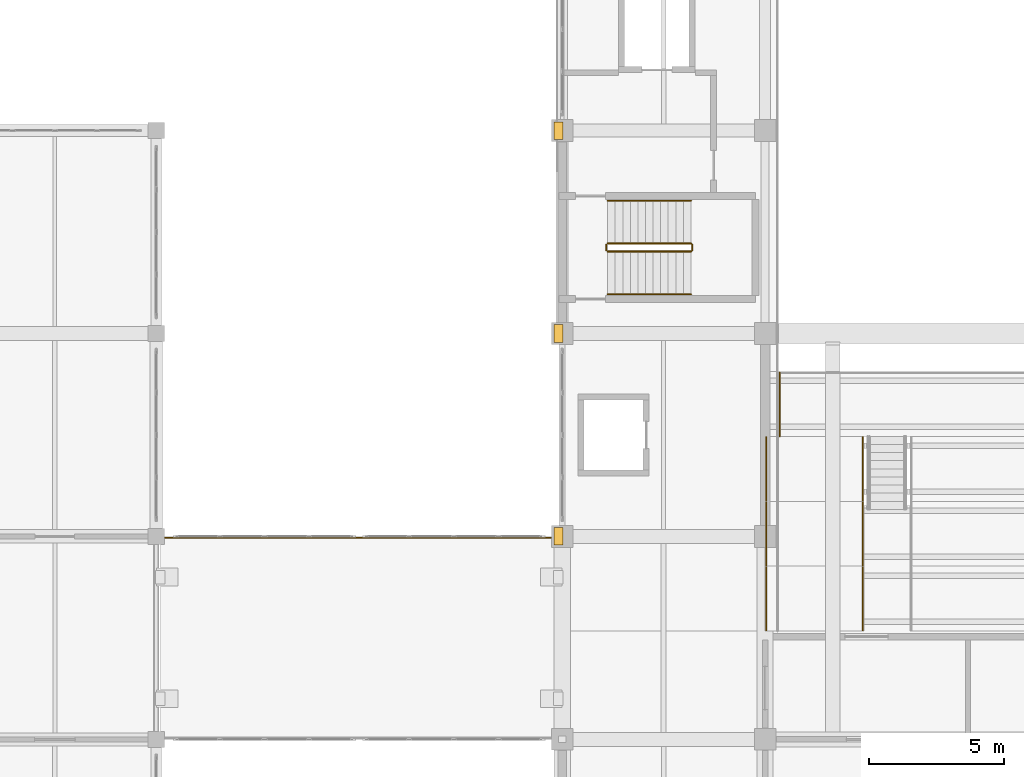
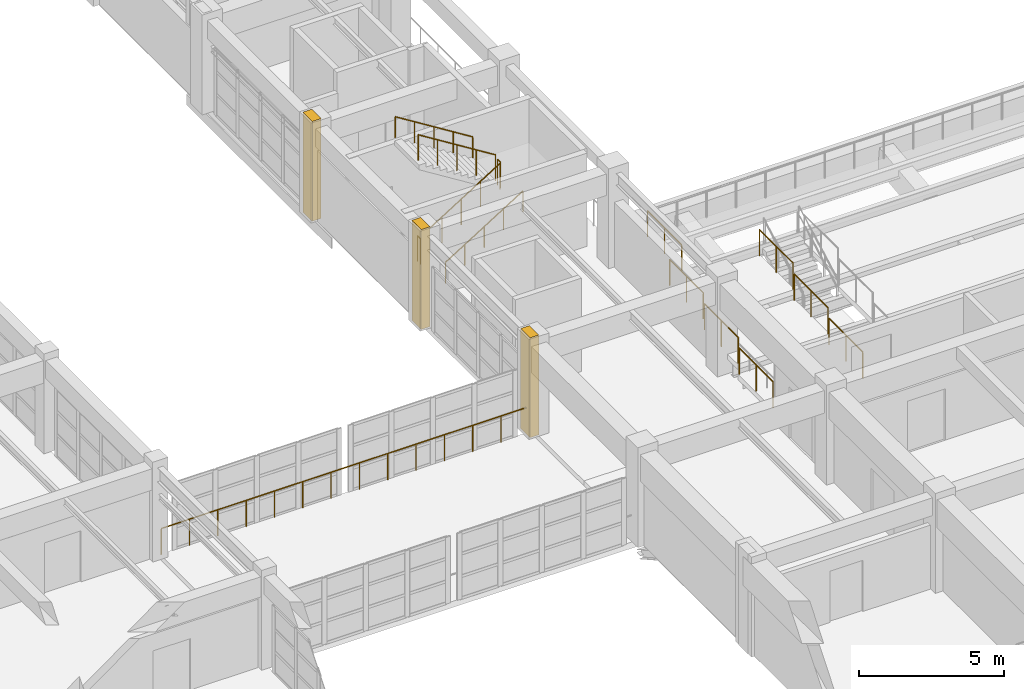
# One storey, part 112 of 124: 14 railings, 3 coverings.
"""IFC4 building model written with IfcOpenShell, lengths in metres."""

from ifc_helpers import new_model, si_unit, direction, frame, origin, origin_2d, place, context, subcontext, project, spatial, rectangle, circle, extrude, material, layer, layer_set, type_object, element, save


model = new_model("IFC4")

# Units and contexts
model_context = context("Model", 3, precision=1e-05, world=origin(), true_north=direction((0.0, 1.0)))
body_context = subcontext(model_context, "Body", "Model", "MODEL_VIEW")
ifc_project = project(units=[si_unit("LENGTHUNIT", "METRE"), si_unit("AREAUNIT", "SQUARE_METRE"), si_unit("VOLUMEUNIT", "CUBIC_METRE"), si_unit("PLANEANGLEUNIT", "RADIAN"), si_unit("MASSUNIT", "GRAM", prefix="KILO")], contexts=[model_context])

# Site, building, storey
site_placement = place(None, origin())
site = spatial("IfcSite", under=ifc_project, at=site_placement, CompositionType="ELEMENT")
building_placement = place(site_placement, origin())
building = spatial("IfcBuilding", under=site, at=building_placement, Name="Qasida Concert Hall", CompositionType="ELEMENT")
storey_placement = place(building_placement, frame((0.0, 0.0, 9.0)))
storey = spatial("IfcBuildingStorey", under=building, at=storey_placement, Name="L02", CompositionType="ELEMENT", Elevation=9.0)

# Coverings
ifc_material_1 = material(Name="Projecting fluted Lebanese limestone Art Deco pilaster", Category="masonry")
ifc_layer_1 = layer(ifc_material_1, 0.35009765625, Name="Projecting fluted Lebanese limestone Art Deco pilaster")
ifc_layer_set_1 = layer_set([ifc_layer_1], Name="Projecting fluted Lebanese limestone Art Deco pilaster")
covering_type = type_object("IfcCoveringType", Name="CV-PIL-650", PredefinedType="CLADDING", material=ifc_layer_set_1)
for number, where, z_axis, x_axis, name in (
    (1, (52.364990234375, 37.5, 0.0), (0.0, 0.0, 1.0), (1.0, 0.0, 0.0), "L02 fluted limestone pilaster 0017"),
    (2, (52.364990234375, 45.0, 0.0), (0.0, 0.0, 1.0), (1.0, 0.0, 0.0), "L02 fluted limestone pilaster 0031"),
    (3, (52.364990234375, 52.5, 0.0), (0.0, 0.0, 1.0), (1.0, 0.0, 0.0), "L02 fluted limestone pilaster 0045"),
):
    element("IfcCovering", number, at=place(storey_placement, frame(where, z_axis=z_axis, x_axis=x_axis)), inside=storey, type_object=covering_type, Name=name, PredefinedType="CLADDING", context=body_context, shape_type="SweptSolid", body=[
        extrude(rectangle(XDim=0.35009765625, YDim=0.64990234375, at=origin_2d()), origin(), (0.0, 0.0, 1.0), 4.199951171875),
    ])

# Railings
ifc_material_2 = material(Name="Carved Lebanese limestone and bronze top rail", Category="masonry")
ifc_layer_2 = layer(ifc_material_2, 0.10009765625, Name="Carved Lebanese limestone and bronze top rail")
ifc_layer_set_2 = layer_set([ifc_layer_2], Name="Carved Lebanese limestone and bronze top rail")
railing_type_1 = type_object("IfcRailingType", Name="RL-BAL-1100", PredefinedType="BALUSTRADE", material=ifc_layer_set_2)
railing_1_placement = place(storey_placement, frame((60.5400390625, 41.199951171875, 1.64990234375)))
element("IfcRailing", 4, at=railing_1_placement, inside=storey, type_object=railing_type_1, Name="L02 Symphony first balcony front rail 0061", PredefinedType="BALUSTRADE", context=body_context, shape_type="SweptSolid", body=[
    extrude(circle(Radius=0.02392578125, at=origin_2d()), frame((0.0, 0.0, 1.09619140625), z_axis=(0.0, 1.0, 0.0), x_axis=(-1.0, 0.0, 0.0)), (0.0, 0.0, 1.0), 2.360107421875),
    extrude(circle(Radius=0.02099609375, at=origin_2d()), origin(), (0.0, 0.0, 1.0), 1.072021484375),
    extrude(circle(Radius=0.02099609375, at=origin_2d()), frame((0.0, 1.18017578125, 0.0)), (0.0, 0.0, 1.0), 1.072021484375),
    extrude(circle(Radius=0.02099609375, at=origin_2d()), frame((0.0, 2.360107421875, 0.0)), (0.0, 0.0, 1.0), 1.072021484375),
])
ifc_material_3 = material(Name="Patinated architectural bronze and laminated glass infill", Category="glass")
ifc_layer_3 = layer(ifc_material_3, 0.080078125, Name="Patinated architectural bronze and laminated glass infill")
ifc_layer_set_3 = layer_set([ifc_layer_3], Name="Patinated architectural bronze and laminated glass infill")
railing_type_2 = type_object("IfcRailingType", Name="RL-GRD-1100", PredefinedType="GUARDRAIL", material=ifc_layer_set_3)
railing_2_placement = place(storey_placement, frame((37.679931640625, 37.449951171875, 0.0)))
element("IfcRailing", 5, at=railing_2_placement, inside=storey, type_object=railing_type_2, Name="L02 Link bridge north guard 0027", PredefinedType="GUARDRAIL", context=body_context, shape_type="SweptSolid", body=[
    extrude(circle(Radius=0.02392578125, at=origin_2d()), frame((0.0, 0.0, 1.09619140625), z_axis=(1.0, 0.0, 0.0), x_axis=(0.0, 1.0, 0.0)), (0.0, 0.0, 1.0), 14.64013671875),
    extrude(circle(Radius=0.02099609375, at=origin_2d()), origin(), (0.0, 0.0, 1.0), 1.072021484375),
    extrude(circle(Radius=0.02099609375, at=origin_2d()), frame((1.126220703125, 0.0, 0.0)), (0.0, 0.0, 1.0), 1.072021484375),
    extrude(circle(Radius=0.02099609375, at=origin_2d()), frame((2.25244140625, 0.0, 0.0)), (0.0, 0.0, 1.0), 1.072021484375),
    extrude(circle(Radius=0.02099609375, at=origin_2d()), frame((3.37841796875, 0.0, 0.0)), (0.0, 0.0, 1.0), 1.072021484375),
    extrude(circle(Radius=0.02099609375, at=origin_2d()), frame((4.504638671875, 0.0, 0.0)), (0.0, 0.0, 1.0), 1.072021484375),
    extrude(circle(Radius=0.02099609375, at=origin_2d()), frame((5.630859375, 0.0, 0.0)), (0.0, 0.0, 1.0), 1.072021484375),
    extrude(circle(Radius=0.02099609375, at=origin_2d()), frame((6.757080078125, 0.0, 0.0)), (0.0, 0.0, 1.0), 1.072021484375),
    extrude(circle(Radius=0.02099609375, at=origin_2d()), frame((7.883056640625, 0.0, 0.0)), (0.0, 0.0, 1.0), 1.072021484375),
    extrude(circle(Radius=0.02099609375, at=origin_2d()), frame((9.00927734375, 0.0, 0.0)), (0.0, 0.0, 1.0), 1.072021484375),
    extrude(circle(Radius=0.02099609375, at=origin_2d()), frame((10.135498046875, 0.0, 0.0)), (0.0, 0.0, 1.0), 1.072021484375),
    extrude(circle(Radius=0.02099609375, at=origin_2d()), frame((11.26171875, 0.0, 0.0)), (0.0, 0.0, 1.0), 1.072021484375),
    extrude(circle(Radius=0.02099609375, at=origin_2d()), frame((12.3876953125, 0.0, 0.0)), (0.0, 0.0, 1.0), 1.072021484375),
    extrude(circle(Radius=0.02099609375, at=origin_2d()), frame((13.513916015625, 0.0, 0.0)), (0.0, 0.0, 1.0), 1.072021484375),
    extrude(circle(Radius=0.02099609375, at=origin_2d()), frame((14.64013671875, 0.0, 0.0)), (0.0, 0.0, 1.0), 1.072021484375),
])
for number, where, name in (
    (6, (60.0400390625, 34.0400390625, 0.41259765625), "L02 L02 tier side guard 0064"),
    (7, (63.610107421875, 34.0400390625, 0.41259765625), "L02 L02 tier side guard 0065"),
    (8, (60.0400390625, 36.43994140625, 0.824951171875), "L02 L02 tier side guard 0066"),
    (9, (63.610107421875, 36.43994140625, 0.824951171875), "L02 L02 tier side guard 0067"),
):
    element("IfcRailing", number, at=place(storey_placement, frame(where)), inside=storey, type_object=railing_type_2, Name=name, PredefinedType="GUARDRAIL", context=body_context, shape_type="SweptSolid", body=[
        extrude(circle(Radius=0.02392578125, at=origin_2d()), frame((0.0, 0.0, 1.09619140625), z_axis=(0.0, 1.0, 0.0), x_axis=(-1.0, 0.0, 0.0)), (0.0, 0.0, 1.0), 2.320068359375),
        extrude(circle(Radius=0.02099609375, at=origin_2d()), origin(), (0.0, 0.0, 1.0), 1.072021484375),
        extrude(circle(Radius=0.02099609375, at=origin_2d()), frame((0.0, 1.16015625, 0.0)), (0.0, 0.0, 1.0), 1.072021484375),
        extrude(circle(Radius=0.02099609375, at=origin_2d()), frame((0.0, 2.320068359375, 0.0)), (0.0, 0.0, 1.0), 1.072021484375),
    ])
for number, where, name in (
    (10, (60.0400390625, 38.840087890625, 1.237548828125), "L02 L02 tier side guard 0068"),
    (11, (63.610107421875, 38.840087890625, 1.237548828125), "L02 L02 tier side guard 0069"),
):
    element("IfcRailing", number, at=place(storey_placement, frame(where)), inside=storey, type_object=railing_type_2, Name=name, PredefinedType="GUARDRAIL", context=body_context, shape_type="SweptSolid", body=[
        extrude(circle(Radius=0.02392578125, at=origin_2d()), frame((0.0, 0.0, 1.09619140625), z_axis=(0.0, 1.0, 0.0), x_axis=(-1.0, 0.0, 0.0)), (0.0, 0.0, 1.0), 2.31982421875),
        extrude(circle(Radius=0.02099609375, at=origin_2d()), origin(), (0.0, 0.0, 1.0), 1.072021484375),
        extrude(circle(Radius=0.02099609375, at=origin_2d()), frame((0.0, 1.159912109375, 0.0)), (0.0, 0.0, 1.0), 1.072021484375),
        extrude(circle(Radius=0.02099609375, at=origin_2d()), frame((0.0, 2.31982421875, 0.0)), (0.0, 0.0, 1.0), 1.072021484375),
    ])
railing_3_placement = place(storey_placement, frame((54.179931640625, 48.030029296875, 0.175048828125)))
element("IfcRailing", 12, at=railing_3_placement, inside=storey, type_object=railing_type_2, Name="L02 ST-01 stair guard 1", PredefinedType="GUARDRAIL", context=body_context, shape_type="SweptSolid", body=[
    extrude(circle(Radius=0.02392578125, at=origin_2d()), frame((0.0, 0.0, 1.076171875), z_axis=(0.847998304005, 0.0, 0.529998940003), x_axis=(0.0, 1.0, 0.0)), (0.0, 0.0, 1.0), 3.632080078125),
    extrude(circle(Radius=0.02099609375, at=origin_2d()), origin(), (0.0, 0.0, 1.0), 1.052001953125),
    extrude(circle(Radius=0.02099609375, at=origin_2d()), frame((0.77001953125, 0.0, 0.481201171875)), (0.0, 0.0, 1.0), 1.052001953125),
    extrude(circle(Radius=0.02099609375, at=origin_2d()), frame((1.5400390625, 0.0, 0.96240234375)), (0.0, 0.0, 1.0), 1.052001953125),
    extrude(circle(Radius=0.02099609375, at=origin_2d()), frame((2.31005859375, 0.0, 1.44384765625)), (0.0, 0.0, 1.0), 1.052001953125),
    extrude(circle(Radius=0.02099609375, at=origin_2d()), frame((3.080078125, 0.0, 1.925048828125)), (0.0, 0.0, 1.0), 1.052001953125),
])
railing_4_placement = place(storey_placement, frame((57.31005859375, 48.080078125, 2.10009765625)))
element("IfcRailing", 13, at=railing_4_placement, inside=storey, type_object=railing_type_2, Name="L02 ST-01 stair guard 2", PredefinedType="GUARDRAIL", context=body_context, shape_type="SweptSolid", body=[
    extrude(circle(Radius=0.02392578125, at=origin_2d()), frame((0.0, 0.0, 1.076171875), z_axis=(0.0, 1.0, 0.0), x_axis=(-1.0, 0.0, 0.0)), (0.0, 0.0, 1.0), 0.199951171875),
    extrude(circle(Radius=0.02099609375, at=origin_2d()), origin(), (0.0, 0.0, 1.0), 1.052001953125),
    extrude(circle(Radius=0.02099609375, at=origin_2d()), frame((0.0, 0.199951171875, 0.0)), (0.0, 0.0, 1.0), 1.052001953125),
])
railing_5_placement = place(storey_placement, frame((57.260009765625, 48.330078125, 2.27490234375)))
element("IfcRailing", 14, at=railing_5_placement, inside=storey, type_object=railing_type_2, Name="L02 ST-01 stair guard 3", PredefinedType="GUARDRAIL", context=body_context, shape_type="SweptSolid", body=[
    extrude(circle(Radius=0.02392578125, at=origin_2d()), frame((0.0, 0.0, 1.076171875), z_axis=(-0.847998304005, 0.0, 0.529998940003), x_axis=(0.0, -1.0, 0.0)), (0.0, 0.0, 1.0), 3.632080078125),
    extrude(circle(Radius=0.02099609375, at=origin_2d()), origin(), (0.0, 0.0, 1.0), 1.052001953125),
    extrude(circle(Radius=0.02099609375, at=origin_2d()), frame((-0.77001953125, 0.0, 0.481201171875)), (0.0, 0.0, 1.0), 1.052001953125),
    extrude(circle(Radius=0.02099609375, at=origin_2d()), frame((-1.5400390625, 0.0, 0.96240234375)), (0.0, 0.0, 1.0), 1.052001953125),
    extrude(circle(Radius=0.02099609375, at=origin_2d()), frame((-2.31005859375, 0.0, 1.44384765625)), (0.0, 0.0, 1.0), 1.052001953125),
    extrude(circle(Radius=0.02099609375, at=origin_2d()), frame((-3.080078125, 0.0, 1.925048828125)), (0.0, 0.0, 1.0), 1.052001953125),
])
railing_6_placement = place(storey_placement, frame((54.1298828125, 48.080078125, 0.0)))
element("IfcRailing", 15, at=railing_6_placement, inside=storey, type_object=railing_type_2, Name="L02 ST-01 stair guard 4", PredefinedType="GUARDRAIL", context=body_context, shape_type="SweptSolid", body=[
    extrude(circle(Radius=0.02392578125, at=origin_2d()), frame((0.0, 0.0, 1.076171875), z_axis=(0.0, 1.0, 0.0), x_axis=(-1.0, 0.0, 0.0)), (0.0, 0.0, 1.0), 0.199951171875),
    extrude(circle(Radius=0.02099609375, at=origin_2d()), origin(), (0.0, 0.0, 1.0), 1.052001953125),
    extrude(circle(Radius=0.02099609375, at=origin_2d()), frame((0.0, 0.199951171875, 0.0)), (0.0, 0.0, 1.0), 1.052001953125),
])
ifc_material_4 = material(Name="Patinated tubular architectural bronze", Category="steel")
ifc_layer_4 = layer(ifc_material_4, 0.050048828125, Name="Patinated tubular architectural bronze")
ifc_layer_set_4 = layer_set([ifc_layer_4], Name="Patinated tubular architectural bronze")
railing_type_3 = type_object("IfcRailingType", Name="RL-HND-900", PredefinedType="HANDRAIL", material=ifc_layer_set_4)
railing_7_placement = place(storey_placement, frame((54.179931640625, 46.449951171875, 0.175048828125)))
element("IfcRailing", 16, at=railing_7_placement, inside=storey, type_object=railing_type_3, Name="L02 ST-01 stair handrail 1", PredefinedType="HANDRAIL", context=body_context, shape_type="SweptSolid", body=[
    extrude(circle(Radius=0.02392578125, at=origin_2d()), frame((0.0, 0.0, 0.8759765625), z_axis=(0.847998304005, 0.0, 0.529998940003), x_axis=(0.0, 1.0, 0.0)), (0.0, 0.0, 1.0), 3.632080078125),
    extrude(circle(Radius=0.02099609375, at=origin_2d()), origin(), (0.0, 0.0, 1.0), 0.851806640625),
    extrude(circle(Radius=0.02099609375, at=origin_2d()), frame((0.77001953125, 0.0, 0.481201171875)), (0.0, 0.0, 1.0), 0.851806640625),
    extrude(circle(Radius=0.02099609375, at=origin_2d()), frame((1.5400390625, 0.0, 0.96240234375)), (0.0, 0.0, 1.0), 0.851806640625),
    extrude(circle(Radius=0.02099609375, at=origin_2d()), frame((2.31005859375, 0.0, 1.44384765625)), (0.0, 0.0, 1.0), 0.851806640625),
    extrude(circle(Radius=0.02099609375, at=origin_2d()), frame((3.080078125, 0.0, 1.925048828125)), (0.0, 0.0, 1.0), 0.851806640625),
])
railing_8_placement = place(storey_placement, frame((57.260009765625, 49.909912109375, 2.27490234375)))
element("IfcRailing", 17, at=railing_8_placement, inside=storey, type_object=railing_type_3, Name="L02 ST-01 stair handrail 2", PredefinedType="HANDRAIL", context=body_context, shape_type="SweptSolid", body=[
    extrude(circle(Radius=0.02392578125, at=origin_2d()), frame((0.0, 0.0, 0.8759765625), z_axis=(-0.847998304005, 0.0, 0.529998940003), x_axis=(0.0, -1.0, 0.0)), (0.0, 0.0, 1.0), 3.632080078125),
    extrude(circle(Radius=0.02099609375, at=origin_2d()), origin(), (0.0, 0.0, 1.0), 0.851806640625),
    extrude(circle(Radius=0.02099609375, at=origin_2d()), frame((-0.77001953125, 0.0, 0.481201171875)), (0.0, 0.0, 1.0), 0.851806640625),
    extrude(circle(Radius=0.02099609375, at=origin_2d()), frame((-1.5400390625, 0.0, 0.96240234375)), (0.0, 0.0, 1.0), 0.851806640625),
    extrude(circle(Radius=0.02099609375, at=origin_2d()), frame((-2.31005859375, 0.0, 1.44384765625)), (0.0, 0.0, 1.0), 0.851806640625),
    extrude(circle(Radius=0.02099609375, at=origin_2d()), frame((-3.080078125, 0.0, 1.925048828125)), (0.0, 0.0, 1.0), 0.851806640625),
])

save(model, "model.ifc")
